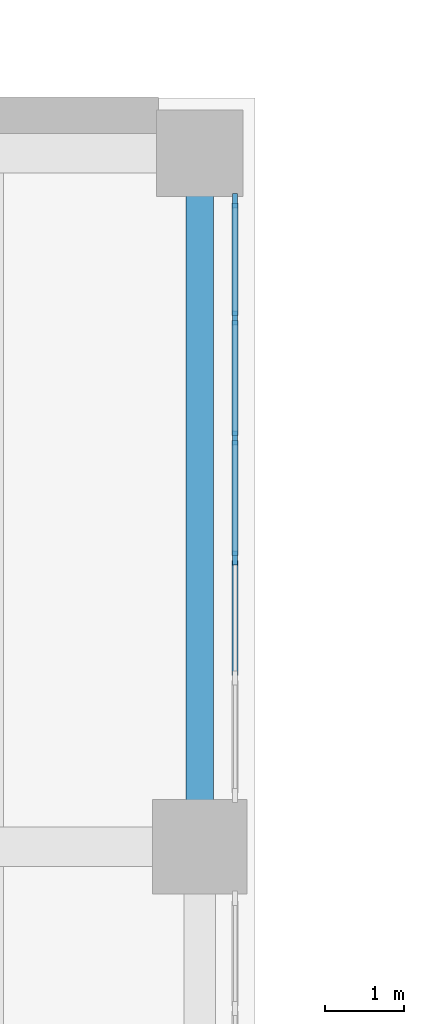
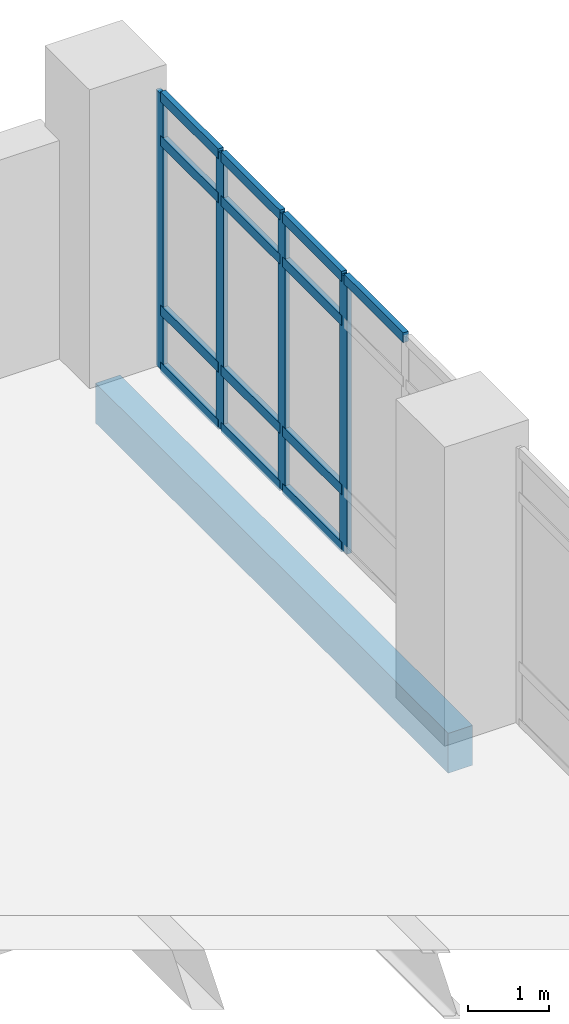
# One storey, part 35 of 75: 17 members, 1 beam, 1 element without a shape of its own.
"""IFC4 building model written with IfcOpenShell, lengths in metres."""

from ifc_helpers import new_model, si_unit, direction, frame, origin, origin_2d, place, context, subcontext, project, spatial, rectangle, extrude, material, material_profile, profile_set, type_object, element, aggregate, save


model = new_model("IFC4")

# Units and contexts
model_context = context("Model", 3, precision=1e-05, world=origin(), true_north=direction((0.0, 1.0)))
body_context = subcontext(model_context, "Body", "Model", "MODEL_VIEW")
ifc_project = project(units=[si_unit("LENGTHUNIT", "METRE"), si_unit("AREAUNIT", "SQUARE_METRE"), si_unit("VOLUMEUNIT", "CUBIC_METRE"), si_unit("PLANEANGLEUNIT", "RADIAN"), si_unit("MASSUNIT", "GRAM", prefix="KILO")], contexts=[model_context])

# Site, building, storey
site_placement = place(None, origin())
site = spatial("IfcSite", under=ifc_project, at=site_placement, CompositionType="ELEMENT")
building_placement = place(site_placement, origin())
building = spatial("IfcBuilding", under=site, at=building_placement, Name="Soyqirgoq Riverine Aquarium", CompositionType="ELEMENT")
storey_placement = place(building_placement, frame((0.0, 0.0, 10.199951171875)))
storey = spatial("IfcBuildingStorey", under=building, at=storey_placement, Name="L03", CompositionType="ELEMENT", Elevation=10.199951171875)

# Beam
ifc_material_1 = material(Name="Concrete C40/50", Category="concrete")
ifc_material_profile_1 = material_profile(ifc_material_1, rectangle(XDim=0.35009765625, YDim=0.60009765625, at=origin_2d()), Name="RC 350x600")
ifc_profile_set_1 = profile_set([ifc_material_profile_1], Name="Concrete C40/50")
beam_type = type_object("IfcBeamType", Name="Beam_RC_350x600", PredefinedType="JOIST", material=ifc_profile_set_1)
beam_placement = place(storey_placement, frame((153.300048828125, 65.550048828125, -0.64990234375), z_axis=(0.0, 1.0, 0.0), x_axis=(-1.0, 0.0, 0.0)))
element("IfcBeam", 1, at=beam_placement, inside=storey, type_object=beam_type, Name="V7 L03 North-South Frame Beam 1389", PredefinedType="JOIST", context=body_context, shape_type="SweptSolid", body=[
    extrude(rectangle(XDim=0.35009765625, YDim=0.60009765625, at=origin_2d()), origin(), (0.0, 0.0, 1.0), 8.699951171875),
])

# Curtain wall, members
ifc_material_2 = material(Name="Anodised aluminium thermally broken gallery curtain wall", Category="aluminium")
curtain_wall_type = type_object("IfcCurtainWallType", Name="CW_Pavilion_Ribbon", PredefinedType="NOTDEFINED", material=ifc_material_2)
curtain_wall_placement = place(storey_placement, origin())
curtain_wall = element("IfcCurtainWall", 2, at=curtain_wall_placement, inside=storey, type_object=curtain_wall_type, Name="V7 L03 Curtain Wall 133", PredefinedType="NOTDEFINED")
ifc_material_3 = material(Name="Anodised aluminium 6063-T6", Category="aluminium")
ifc_material_profile_2 = material_profile(ifc_material_3, rectangle(XDim=0.06494140625, YDim=0.179931640625, at=origin_2d()), Name="ALU-M 65x180")
ifc_profile_set_2 = profile_set([ifc_material_profile_2], Name="Anodised aluminium 6063-T6")
member_type_1 = type_object("IfcMemberType", Name="CWMullion_65x180", PredefinedType="MULLION", material=ifc_profile_set_2)
member_1_placement = place(storey_placement, frame((153.75, 73.697509765625, 0.0), z_axis=(0.0, 0.0, 1.0), x_axis=(1.0, 0.0, 0.0)))
member_1 = element("IfcMember", 3, at=member_1_placement, type_object=member_type_1, Name="CW-05 mullion 1", PredefinedType="MULLION", context=body_context, shape_type="SweptSolid", body=[
    extrude(rectangle(XDim=0.06494140625, YDim=0.179931640625, at=origin_2d()), origin(), (0.0, 0.0, 1.0), 4.150146484375),
])
member_2_placement = place(storey_placement, frame((153.75, 72.2080078125, 0.0), z_axis=(0.0, 0.0, 1.0), x_axis=(1.0, 0.0, 0.0)))
member_2 = element("IfcMember", 4, at=member_2_placement, type_object=member_type_1, Name="CW-05 mullion 2", PredefinedType="MULLION", context=body_context, shape_type="SweptSolid", body=[
    extrude(rectangle(XDim=0.06494140625, YDim=0.179931640625, at=origin_2d()), origin(), (0.0, 0.0, 1.0), 4.150146484375),
])
member_3_placement = place(storey_placement, frame((153.75, 70.68603515625, 0.0), z_axis=(0.0, 0.0, 1.0), x_axis=(1.0, 0.0, 0.0)))
member_3 = element("IfcMember", 5, at=member_3_placement, type_object=member_type_1, Name="CW-05 mullion 3", PredefinedType="MULLION", context=body_context, shape_type="SweptSolid", body=[
    extrude(rectangle(XDim=0.06494140625, YDim=0.179931640625, at=origin_2d()), origin(), (0.0, 0.0, 1.0), 4.150146484375),
])
member_4_placement = place(storey_placement, frame((153.75, 69.1640625, 0.0), z_axis=(0.0, 0.0, 1.0), x_axis=(1.0, 0.0, 0.0)))
member_4 = element("IfcMember", 6, at=member_4_placement, type_object=member_type_1, Name="CW-05 mullion 4", PredefinedType="MULLION", context=body_context, shape_type="SweptSolid", body=[
    extrude(rectangle(XDim=0.06494140625, YDim=0.179931640625, at=origin_2d()), origin(), (0.0, 0.0, 1.0), 4.150146484375),
])
ifc_material_4 = material(Name="Anodised aluminium 6063-T6", Category="aluminium")
ifc_material_profile_3 = material_profile(ifc_material_4, rectangle(XDim=0.074951171875, YDim=0.14990234375, at=origin_2d()), Name="ALU-T 75x150")
ifc_profile_set_3 = profile_set([ifc_material_profile_3], Name="Anodised aluminium 6063-T6")
member_type_2 = type_object("IfcMemberType", Name="CWTransom_75x150", PredefinedType="USERDEFINED", material=ifc_profile_set_3)
member_5_placement = place(storey_placement, frame((153.75, 73.6650390625, 0.03759765625), z_axis=(0.0, -1.0, 0.0), x_axis=(1.0, 0.0, 0.0)))
member_5 = element("IfcMember", 7, at=member_5_placement, type_object=member_type_2, Name="CW-05 transom 1.1", ObjectType="TRANSOM", PredefinedType="USERDEFINED", context=body_context, shape_type="SweptSolid", body=[
    extrude(rectangle(XDim=0.074951171875, YDim=0.14990234375, at=origin_2d()), origin(), (0.0, 0.0, 1.0), 1.424560546875),
])
member_6_placement = place(storey_placement, frame((153.75, 73.6650390625, 0.900146484375), z_axis=(0.0, -1.0, 0.0), x_axis=(1.0, 0.0, 0.0)))
member_6 = element("IfcMember", 8, at=member_6_placement, type_object=member_type_2, Name="CW-05 transom 1.2", ObjectType="TRANSOM", PredefinedType="USERDEFINED", context=body_context, shape_type="SweptSolid", body=[
    extrude(rectangle(XDim=0.074951171875, YDim=0.14990234375, at=origin_2d()), origin(), (0.0, 0.0, 1.0), 1.424560546875),
])
member_7_placement = place(storey_placement, frame((153.75, 73.6650390625, 3.449951171875), z_axis=(0.0, -1.0, 0.0), x_axis=(1.0, 0.0, 0.0)))
member_7 = element("IfcMember", 9, at=member_7_placement, type_object=member_type_2, Name="CW-05 transom 1.3", ObjectType="TRANSOM", PredefinedType="USERDEFINED", context=body_context, shape_type="SweptSolid", body=[
    extrude(rectangle(XDim=0.074951171875, YDim=0.14990234375, at=origin_2d()), origin(), (0.0, 0.0, 1.0), 1.424560546875),
])
member_8_placement = place(storey_placement, frame((153.75, 73.6650390625, 4.112548828125), z_axis=(0.0, -1.0, 0.0), x_axis=(1.0, 0.0, 0.0)))
member_8 = element("IfcMember", 10, at=member_8_placement, type_object=member_type_2, Name="CW-05 transom 1.4", ObjectType="TRANSOM", PredefinedType="USERDEFINED", context=body_context, shape_type="SweptSolid", body=[
    extrude(rectangle(XDim=0.074951171875, YDim=0.14990234375, at=origin_2d()), origin(), (0.0, 0.0, 1.0), 1.424560546875),
])
member_9_placement = place(storey_placement, frame((153.75, 72.175537109375, 0.03759765625), z_axis=(0.0, -1.0, 0.0), x_axis=(1.0, 0.0, 0.0)))
member_9 = element("IfcMember", 11, at=member_9_placement, type_object=member_type_2, Name="CW-05 transom 2.1", ObjectType="TRANSOM", PredefinedType="USERDEFINED", context=body_context, shape_type="SweptSolid", body=[
    extrude(rectangle(XDim=0.074951171875, YDim=0.14990234375, at=origin_2d()), origin(), (0.0, 0.0, 1.0), 1.45703125),
])
member_10_placement = place(storey_placement, frame((153.75, 72.175537109375, 0.900146484375), z_axis=(0.0, -1.0, 0.0), x_axis=(1.0, 0.0, 0.0)))
member_10 = element("IfcMember", 12, at=member_10_placement, type_object=member_type_2, Name="CW-05 transom 2.2", ObjectType="TRANSOM", PredefinedType="USERDEFINED", context=body_context, shape_type="SweptSolid", body=[
    extrude(rectangle(XDim=0.074951171875, YDim=0.14990234375, at=origin_2d()), origin(), (0.0, 0.0, 1.0), 1.45703125),
])
member_11_placement = place(storey_placement, frame((153.75, 72.175537109375, 3.449951171875), z_axis=(0.0, -1.0, 0.0), x_axis=(1.0, 0.0, 0.0)))
member_11 = element("IfcMember", 13, at=member_11_placement, type_object=member_type_2, Name="CW-05 transom 2.3", ObjectType="TRANSOM", PredefinedType="USERDEFINED", context=body_context, shape_type="SweptSolid", body=[
    extrude(rectangle(XDim=0.074951171875, YDim=0.14990234375, at=origin_2d()), origin(), (0.0, 0.0, 1.0), 1.45703125),
])
member_12_placement = place(storey_placement, frame((153.75, 72.175537109375, 4.112548828125), z_axis=(0.0, -1.0, 0.0), x_axis=(1.0, 0.0, 0.0)))
member_12 = element("IfcMember", 14, at=member_12_placement, type_object=member_type_2, Name="CW-05 transom 2.4", ObjectType="TRANSOM", PredefinedType="USERDEFINED", context=body_context, shape_type="SweptSolid", body=[
    extrude(rectangle(XDim=0.074951171875, YDim=0.14990234375, at=origin_2d()), origin(), (0.0, 0.0, 1.0), 1.45703125),
])
member_13_placement = place(storey_placement, frame((153.75, 70.653564453125, 0.03759765625), z_axis=(0.0, -1.0, 0.0), x_axis=(1.0, 0.0, 0.0)))
member_13 = element("IfcMember", 15, at=member_13_placement, type_object=member_type_2, Name="CW-05 transom 3.1", ObjectType="TRANSOM", PredefinedType="USERDEFINED", context=body_context, shape_type="SweptSolid", body=[
    extrude(rectangle(XDim=0.074951171875, YDim=0.14990234375, at=origin_2d()), origin(), (0.0, 0.0, 1.0), 1.45703125),
])
member_14_placement = place(storey_placement, frame((153.75, 70.653564453125, 0.900146484375), z_axis=(0.0, -1.0, 0.0), x_axis=(1.0, 0.0, 0.0)))
member_14 = element("IfcMember", 16, at=member_14_placement, type_object=member_type_2, Name="CW-05 transom 3.2", ObjectType="TRANSOM", PredefinedType="USERDEFINED", context=body_context, shape_type="SweptSolid", body=[
    extrude(rectangle(XDim=0.074951171875, YDim=0.14990234375, at=origin_2d()), origin(), (0.0, 0.0, 1.0), 1.45703125),
])
member_15_placement = place(storey_placement, frame((153.75, 70.653564453125, 3.449951171875), z_axis=(0.0, -1.0, 0.0), x_axis=(1.0, 0.0, 0.0)))
member_15 = element("IfcMember", 17, at=member_15_placement, type_object=member_type_2, Name="CW-05 transom 3.3", ObjectType="TRANSOM", PredefinedType="USERDEFINED", context=body_context, shape_type="SweptSolid", body=[
    extrude(rectangle(XDim=0.074951171875, YDim=0.14990234375, at=origin_2d()), origin(), (0.0, 0.0, 1.0), 1.45703125),
])
member_16_placement = place(storey_placement, frame((153.75, 70.653564453125, 4.112548828125), z_axis=(0.0, -1.0, 0.0), x_axis=(1.0, 0.0, 0.0)))
member_16 = element("IfcMember", 18, at=member_16_placement, type_object=member_type_2, Name="CW-05 transom 3.4", ObjectType="TRANSOM", PredefinedType="USERDEFINED", context=body_context, shape_type="SweptSolid", body=[
    extrude(rectangle(XDim=0.074951171875, YDim=0.14990234375, at=origin_2d()), origin(), (0.0, 0.0, 1.0), 1.45703125),
])
member_17_placement = place(storey_placement, frame((153.75, 69.131591796875, 4.112548828125), z_axis=(0.0, -1.0, 0.0), x_axis=(1.0, 0.0, 0.0)))
member_17 = element("IfcMember", 19, at=member_17_placement, type_object=member_type_2, Name="CW-05 transom 4.4", ObjectType="TRANSOM", PredefinedType="USERDEFINED", context=body_context, shape_type="SweptSolid", body=[
    extrude(rectangle(XDim=0.074951171875, YDim=0.14990234375, at=origin_2d()), origin(), (0.0, 0.0, 1.0), 1.45703125),
])
aggregate(curtain_wall, [member_1, member_2, member_3, member_4, member_5, member_6, member_7, member_8, member_9, member_10, member_11, member_12, member_13, member_14, member_15, member_16, member_17])

save(model, "model.ifc")
